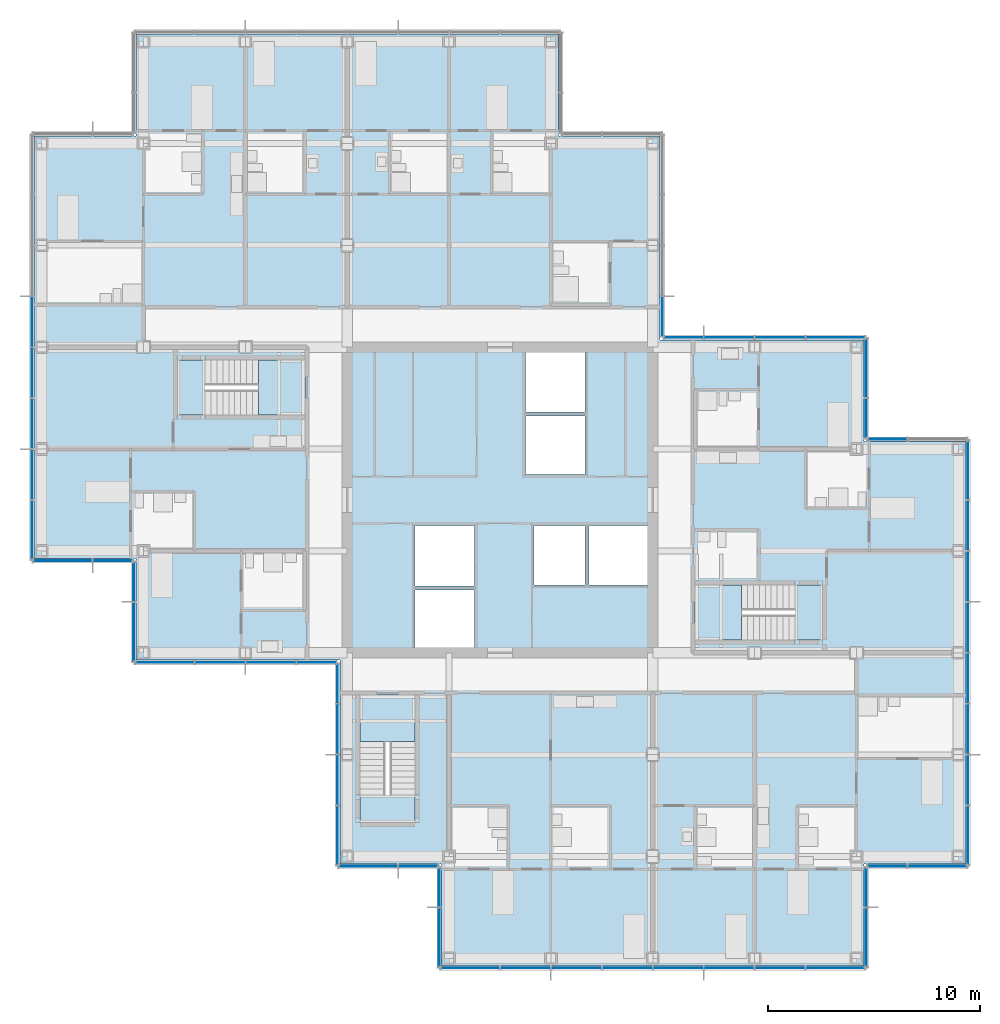
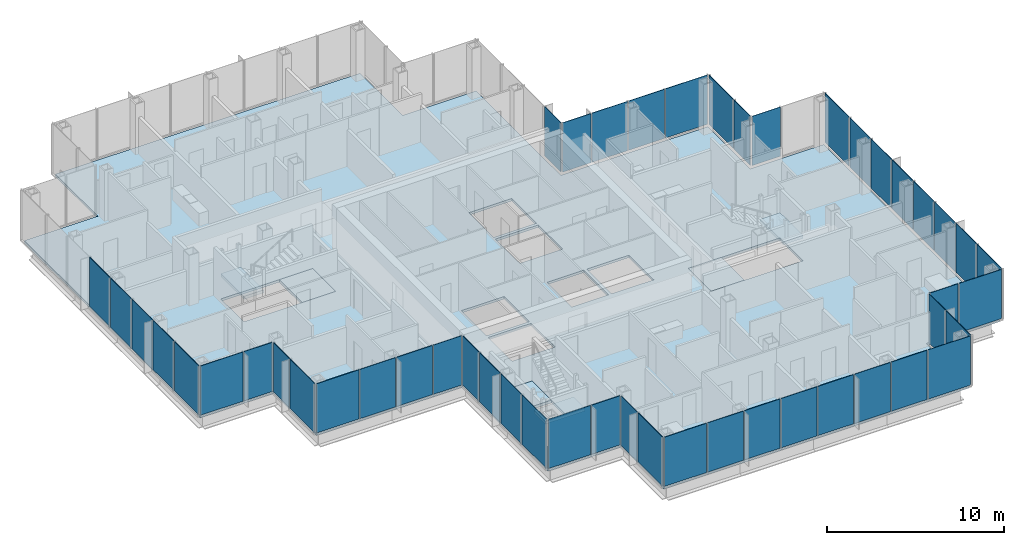
# One storey, part 11 of 20: 49 plates, 7 slabs, 18 elements without a shape of their own.
"""IFC4 building model written with IfcOpenShell, lengths in metres."""

from ifc_helpers import new_model, si_unit, direction, frame, origin, origin_2d, place, context, subcontext, project, spatial, polyline, rectangle, outline, extrude, material, layer, layer_set, type_object, element, aggregate, save


model = new_model("IFC4")

# Units and contexts
model_context = context("Model", 3, precision=1e-05, world=origin(), true_north=direction((0.0, 1.0)))
body_context = subcontext(model_context, "Body", "Model", "MODEL_VIEW")
ifc_project = project(units=[si_unit("LENGTHUNIT", "METRE"), si_unit("AREAUNIT", "SQUARE_METRE"), si_unit("VOLUMEUNIT", "CUBIC_METRE"), si_unit("PLANEANGLEUNIT", "RADIAN"), si_unit("MASSUNIT", "GRAM", prefix="KILO")], contexts=[model_context])

# Site, building, storey
site_placement = place(None, origin())
site = spatial("IfcSite", under=ifc_project, at=site_placement, CompositionType="ELEMENT")
building_placement = place(site_placement, origin())
building = spatial("IfcBuilding", under=site, at=building_placement, Name="Kvirike Care Tower", CompositionType="ELEMENT")
storey_placement = place(building_placement, frame((0.0, 0.0, 119.0)))
storey = spatial("IfcBuildingStorey", under=building, at=storey_placement, Name="L32", CompositionType="ELEMENT", Elevation=119.0)

# Slab
ifc_material_1 = material(Name="Concrete C35/45", Category="concrete")
ifc_layer_1 = layer(ifc_material_1, 0.169921875)
ifc_layer_set_1 = layer_set([ifc_layer_1], Name="FLOOR SLAB 170")
slab_type_1 = type_object("IfcSlabType", Name="FLOOR SLAB 170", PredefinedType="FLOOR", material=ifc_layer_set_1)
slab_1_placement = place(storey_placement, frame((0.0, 0.0, -0.169921875)))
element("IfcSlab", 1, at=slab_1_placement, inside=storey, type_object=slab_type_1, Name="Floor slab L32", PredefinedType="FLOOR", context=body_context, shape_type="SweptSolid", body=[
    extrude(outline(polyline([(43.550048828125, 18.85009765625), (43.550048828125, 38.75), (38.75, 38.75), (38.75, 43.550048828125), (29.14990234375, 43.550048828125), (29.14990234375, 53.14990234375), (24.35009765625, 53.14990234375), (24.35009765625, 57.949951171875), (4.449951171875, 57.949951171875), (4.449951171875, 53.14990234375), (-0.35009765625, 53.14990234375), (-0.35009765625, 33.25), (4.449951171875, 33.25), (4.449951171875, 28.449951171875), (14.050048828125, 28.449951171875), (14.050048828125, 18.85009765625), (18.85009765625, 18.85009765625), (18.85009765625, 14.050048828125), (38.75, 14.050048828125), (38.75, 18.85009765625), (43.550048828125, 18.85009765625)]), holes=[polyline([(17.60009765625, 29.050048828125), (17.60009765625, 31.75), (20.39990234375, 31.75), (20.39990234375, 29.050048828125), (17.60009765625, 29.050048828125)]), polyline([(17.60009765625, 31.949951171875), (17.60009765625, 34.800048828125), (20.39990234375, 34.800048828125), (20.39990234375, 31.949951171875), (17.60009765625, 31.949951171875)]), polyline([(22.800048828125, 37.199951171875), (22.800048828125, 39.949951171875), (25.60009765625, 39.949951171875), (25.60009765625, 37.199951171875), (22.800048828125, 37.199951171875)]), polyline([(22.800048828125, 40.14990234375), (22.800048828125, 42.949951171875), (25.60009765625, 42.949951171875), (25.60009765625, 40.14990234375), (22.800048828125, 40.14990234375)]), polyline([(23.199951171875, 32.0), (23.199951171875, 34.800048828125), (25.60009765625, 34.800048828125), (25.60009765625, 32.0), (23.199951171875, 32.0)]), polyline([(25.800048828125, 32.0), (25.800048828125, 34.800048828125), (28.550048828125, 34.800048828125), (28.550048828125, 32.0), (25.800048828125, 32.0)]), polyline([(12.39990234375, 42.60009765625), (12.39990234375, 40.0), (6.39990234375, 40.0), (6.39990234375, 42.60009765625), (12.39990234375, 42.60009765625)]), polyline([(30.800048828125, 29.39990234375), (30.800048828125, 32.0), (36.800048828125, 32.0), (36.800048828125, 29.39990234375), (30.800048828125, 29.39990234375)]), polyline([(15.0, 26.800048828125), (17.60009765625, 26.800048828125), (17.60009765625, 20.800048828125), (15.0, 20.800048828125), (15.0, 26.800048828125)])]), origin(), (0.0, 0.0, 1.0), 0.169921875),
])

# Stair, slabs
ifc_material_2 = material(Name="Concrete C35/45", Category="concrete")
stair_type = type_object("IfcStairType", Name="STAIR 20 RISERS", PredefinedType="HALF_TURN_STAIR", material=ifc_material_2)
stair_1_placement = place(storey_placement, origin())
stair_1 = element("IfcStair", 2, at=stair_1_placement, inside=storey, type_object=stair_type, Name="Stair 1 L32", PredefinedType="HALF_TURN_STAIR")
ifc_material_3 = material(Name="Concrete C35/45", Category="concrete")
ifc_layer_2 = layer(ifc_material_3, 0.199951171875)
ifc_layer_set_2 = layer_set([ifc_layer_2], Name="STAIR LANDING 200")
slab_type_2 = type_object("IfcSlabType", Name="STAIR LANDING 200", PredefinedType="LANDING", material=ifc_layer_set_2)
slab_2_placement = place(storey_placement, frame((0.0, 0.0, -0.199951171875)))
slab_2 = element("IfcSlab", 3, at=slab_2_placement, type_object=slab_type_2, Name="Stair S1 floor landing L32", PredefinedType="LANDING", context=body_context, shape_type="SweptSolid", body=[
    extrude(outline(polyline([(10.219970703125, 42.60009765625), (10.219970703125, 40.0), (12.39990234375, 40.0), (12.39990234375, 42.60009765625), (10.219970703125, 42.60009765625)])), origin(), (0.0, 0.0, 1.0), 0.199951171875),
])
slab_3_placement = place(storey_placement, frame((0.0, 0.0, 1.550048828125)))
slab_3 = element("IfcSlab", 4, at=slab_3_placement, type_object=slab_type_2, Name="Stair S1 half landing L32-L33", PredefinedType="LANDING", context=body_context, shape_type="SweptSolid", body=[
    extrude(outline(polyline([(6.39990234375, 42.60009765625), (6.39990234375, 40.0), (7.699951171875, 40.0), (7.699951171875, 42.60009765625), (6.39990234375, 42.60009765625)])), origin(), (0.0, 0.0, 1.0), 0.199951171875),
])
aggregate(stair_1, [slab_2, slab_3])

stair_2_placement = place(storey_placement, origin())
stair_2 = element("IfcStair", 5, at=stair_2_placement, inside=storey, type_object=stair_type, Name="Stair 2 L32", PredefinedType="HALF_TURN_STAIR")
slab_4_placement = place(storey_placement, frame((0.0, 0.0, -0.199951171875)))
slab_4 = element("IfcSlab", 6, at=slab_4_placement, type_object=slab_type_2, Name="Stair S2 floor landing L32", PredefinedType="LANDING", context=body_context, shape_type="SweptSolid", body=[
    extrude(outline(polyline([(32.97998046875, 29.39990234375), (32.97998046875, 32.0), (30.800048828125, 32.0), (30.800048828125, 29.39990234375), (32.97998046875, 29.39990234375)])), origin(), (0.0, 0.0, 1.0), 0.199951171875),
])
slab_5_placement = place(storey_placement, frame((0.0, 0.0, 1.550048828125)))
slab_5 = element("IfcSlab", 7, at=slab_5_placement, type_object=slab_type_2, Name="Stair S2 half landing L32-L33", PredefinedType="LANDING", context=body_context, shape_type="SweptSolid", body=[
    extrude(outline(polyline([(36.800048828125, 29.39990234375), (36.800048828125, 32.0), (35.5, 32.0), (35.5, 29.39990234375), (36.800048828125, 29.39990234375)])), origin(), (0.0, 0.0, 1.0), 0.199951171875),
])
aggregate(stair_2, [slab_4, slab_5])

stair_3_placement = place(storey_placement, origin())
stair_3 = element("IfcStair", 8, at=stair_3_placement, inside=storey, type_object=stair_type, Name="Stair 5 L32", PredefinedType="HALF_TURN_STAIR")
slab_6_placement = place(storey_placement, frame((0.0, 0.0, -0.199951171875)))
slab_6 = element("IfcSlab", 9, at=slab_6_placement, type_object=slab_type_2, Name="Stair S5 floor landing L32", PredefinedType="LANDING", context=body_context, shape_type="SweptSolid", body=[
    extrude(outline(polyline([(15.0, 24.6201171875), (17.60009765625, 24.6201171875), (17.60009765625, 26.800048828125), (15.0, 26.800048828125), (15.0, 24.6201171875)])), origin(), (0.0, 0.0, 1.0), 0.199951171875),
])
slab_7_placement = place(storey_placement, frame((0.0, 0.0, 1.550048828125)))
slab_7 = element("IfcSlab", 10, at=slab_7_placement, type_object=slab_type_2, Name="Stair S5 half landing L32-L33", PredefinedType="LANDING", context=body_context, shape_type="SweptSolid", body=[
    extrude(outline(polyline([(15.0, 20.800048828125), (17.60009765625, 20.800048828125), (17.60009765625, 22.10009765625), (15.0, 22.10009765625), (15.0, 20.800048828125)])), origin(), (0.0, 0.0, 1.0), 0.199951171875),
])
aggregate(stair_3, [slab_6, slab_7])

# Curtain wall, plates
ifc_material_4 = material(Name="Anodised aluminium stick system", Category="aluminium")
curtain_wall_type = type_object("IfcCurtainWallType", Name="CW-B STICK CURTAIN WALL", PredefinedType="NOTDEFINED", material=ifc_material_4)
curtain_wall_1_placement = place(storey_placement, origin())
curtain_wall_1 = element("IfcCurtainWall", 11, at=curtain_wall_1_placement, inside=storey, type_object=curtain_wall_type, Name="Curtain wall L32 face 1", PredefinedType="NOTDEFINED")
ifc_material_5 = material(Name="Tinted double glazed unit", Category="glass")
ifc_layer_3 = layer(ifc_material_5, 0.035888671875)
ifc_layer_set_3 = layer_set([ifc_layer_3], Name="TINTED VISION PANEL 36")
plate_type = type_object("IfcPlateType", Name="TINTED VISION PANEL 36", PredefinedType="CURTAIN_PANEL", material=ifc_layer_set_3)
plate_1_placement = place(storey_placement, frame((43.659912109375, 20.186279296875, 0.10009765625), z_axis=(0.0, 0.0, 1.0), x_axis=(0.0, 1.0, 0.0)))
plate_1 = element("IfcPlate", 12, at=plate_1_placement, type_object=plate_type, Name="CW-B panel L32 face 1.1", PredefinedType="CURTAIN_PANEL", context=body_context, shape_type="SweptSolid", body=[
    extrude(rectangle(XDim=2.762451171875, YDim=0.035888671875, at=origin_2d()), origin(), (0.0, 0.0, 1.0), 3.39990234375),
])
plate_2_placement = place(storey_placement, frame((43.659912109375, 22.800048828125, 0.10009765625), z_axis=(0.0, 0.0, 1.0), x_axis=(0.0, 1.0, 0.0)))
plate_2 = element("IfcPlate", 13, at=plate_2_placement, type_object=plate_type, Name="CW-B panel L32 face 1.2", PredefinedType="CURTAIN_PANEL", context=body_context, shape_type="SweptSolid", body=[
    extrude(rectangle(XDim=2.3349609375, YDim=0.035888671875, at=origin_2d()), origin(), (0.0, 0.0, 1.0), 3.39990234375),
])
plate_3_placement = place(storey_placement, frame((43.659912109375, 25.199951171875, 0.10009765625), z_axis=(0.0, 0.0, 1.0), x_axis=(0.0, 1.0, 0.0)))
plate_3 = element("IfcPlate", 14, at=plate_3_placement, type_object=plate_type, Name="CW-B panel L32 face 1.3", PredefinedType="CURTAIN_PANEL", context=body_context, shape_type="SweptSolid", body=[
    extrude(rectangle(XDim=2.3349609375, YDim=0.035888671875, at=origin_2d()), origin(), (0.0, 0.0, 1.0), 3.39990234375),
])
plate_4_placement = place(storey_placement, frame((43.659912109375, 27.60009765625, 0.10009765625), z_axis=(0.0, 0.0, 1.0), x_axis=(0.0, 1.0, 0.0)))
plate_4 = element("IfcPlate", 15, at=plate_4_placement, type_object=plate_type, Name="CW-B panel L32 face 1.4", PredefinedType="CURTAIN_PANEL", context=body_context, shape_type="SweptSolid", body=[
    extrude(rectangle(XDim=2.3349609375, YDim=0.035888671875, at=origin_2d()), origin(), (0.0, 0.0, 1.0), 3.39990234375),
])
plate_5_placement = place(storey_placement, frame((43.659912109375, 30.0, 0.10009765625), z_axis=(0.0, 0.0, 1.0), x_axis=(0.0, 1.0, 0.0)))
plate_5 = element("IfcPlate", 16, at=plate_5_placement, type_object=plate_type, Name="CW-B panel L32 face 1.5", PredefinedType="CURTAIN_PANEL", context=body_context, shape_type="SweptSolid", body=[
    extrude(rectangle(XDim=2.3349609375, YDim=0.035888671875, at=origin_2d()), origin(), (0.0, 0.0, 1.0), 3.39990234375),
])
plate_6_placement = place(storey_placement, frame((43.659912109375, 32.39990234375, 0.10009765625), z_axis=(0.0, 0.0, 1.0), x_axis=(0.0, 1.0, 0.0)))
plate_6 = element("IfcPlate", 17, at=plate_6_placement, type_object=plate_type, Name="CW-B panel L32 face 1.6", PredefinedType="CURTAIN_PANEL", context=body_context, shape_type="SweptSolid", body=[
    extrude(rectangle(XDim=2.3349609375, YDim=0.035888671875, at=origin_2d()), origin(), (0.0, 0.0, 1.0), 3.39990234375),
])
plate_7_placement = place(storey_placement, frame((43.659912109375, 34.800048828125, 0.10009765625), z_axis=(0.0, 0.0, 1.0), x_axis=(0.0, 1.0, 0.0)))
plate_7 = element("IfcPlate", 18, at=plate_7_placement, type_object=plate_type, Name="CW-B panel L32 face 1.7", PredefinedType="CURTAIN_PANEL", context=body_context, shape_type="SweptSolid", body=[
    extrude(rectangle(XDim=2.3349609375, YDim=0.035888671875, at=origin_2d()), origin(), (0.0, 0.0, 1.0), 3.39990234375),
])
plate_8_placement = place(storey_placement, frame((43.659912109375, 37.413818359375, 0.10009765625), z_axis=(0.0, 0.0, 1.0), x_axis=(0.0, 1.0, 0.0)))
plate_8 = element("IfcPlate", 19, at=plate_8_placement, type_object=plate_type, Name="CW-B panel L32 face 1.8", PredefinedType="CURTAIN_PANEL", context=body_context, shape_type="SweptSolid", body=[
    extrude(rectangle(XDim=2.762451171875, YDim=0.035888671875, at=origin_2d()), origin(), (0.0, 0.0, 1.0), 3.39990234375),
])
aggregate(curtain_wall_1, [plate_1, plate_2, plate_3, plate_4, plate_5, plate_6, plate_7, plate_8])

# Curtain wall, plate
curtain_wall_2_placement = place(storey_placement, origin())
curtain_wall_2 = element("IfcCurtainWall", 20, at=curtain_wall_2_placement, inside=storey, type_object=curtain_wall_type, Name="Curtain wall L32 face 2", PredefinedType="NOTDEFINED")
plate_9_placement = place(storey_placement, frame((39.84619140625, 38.860107421875, 0.10009765625), z_axis=(0.0, 0.0, 1.0), x_axis=(-1.0, 0.0, 0.0)))
plate_9 = element("IfcPlate", 21, at=plate_9_placement, type_object=plate_type, Name="CW-B panel L32 face 2.2", PredefinedType="CURTAIN_PANEL", context=body_context, shape_type="SweptSolid", body=[
    extrude(rectangle(XDim=1.842529296875, YDim=0.035888671875, at=origin_2d()), origin(), (0.0, 0.0, 1.0), 3.39990234375),
])
aggregate(curtain_wall_2, [plate_9])

# Curtain wall, plates
curtain_wall_3_placement = place(storey_placement, origin())
curtain_wall_3 = element("IfcCurtainWall", 22, at=curtain_wall_3_placement, inside=storey, type_object=curtain_wall_type, Name="Curtain wall L32 face 3", PredefinedType="NOTDEFINED")
plate_10_placement = place(storey_placement, frame((38.860107421875, 39.84619140625, 0.10009765625), z_axis=(0.0, 0.0, 1.0), x_axis=(0.0, 1.0, 0.0)))
plate_10 = element("IfcPlate", 23, at=plate_10_placement, type_object=plate_type, Name="CW-B panel L32 face 3.1", PredefinedType="CURTAIN_PANEL", context=body_context, shape_type="SweptSolid", body=[
    extrude(rectangle(XDim=1.842529296875, YDim=0.035888671875, at=origin_2d()), origin(), (0.0, 0.0, 1.0), 3.39990234375),
])
plate_11_placement = place(storey_placement, frame((38.860107421875, 42.2138671875, 0.10009765625), z_axis=(0.0, 0.0, 1.0), x_axis=(0.0, 1.0, 0.0)))
plate_11 = element("IfcPlate", 24, at=plate_11_placement, type_object=plate_type, Name="CW-B panel L32 face 3.2", PredefinedType="CURTAIN_PANEL", context=body_context, shape_type="SweptSolid", body=[
    extrude(rectangle(XDim=2.762451171875, YDim=0.035888671875, at=origin_2d()), origin(), (0.0, 0.0, 1.0), 3.39990234375),
])
aggregate(curtain_wall_3, [plate_10, plate_11])

curtain_wall_4_placement = place(storey_placement, origin())
curtain_wall_4 = element("IfcCurtainWall", 25, at=curtain_wall_4_placement, inside=storey, type_object=curtain_wall_type, Name="Curtain wall L32 face 4", PredefinedType="NOTDEFINED")
plate_12_placement = place(storey_placement, frame((37.413818359375, 43.659912109375, 0.10009765625), z_axis=(0.0, 0.0, 1.0), x_axis=(-1.0, 0.0, 0.0)))
plate_12 = element("IfcPlate", 26, at=plate_12_placement, type_object=plate_type, Name="CW-B panel L32 face 4.1", PredefinedType="CURTAIN_PANEL", context=body_context, shape_type="SweptSolid", body=[
    extrude(rectangle(XDim=2.762451171875, YDim=0.035888671875, at=origin_2d()), origin(), (0.0, 0.0, 1.0), 3.39990234375),
])
plate_13_placement = place(storey_placement, frame((34.800048828125, 43.659912109375, 0.10009765625), z_axis=(0.0, 0.0, 1.0), x_axis=(-1.0, 0.0, 0.0)))
plate_13 = element("IfcPlate", 27, at=plate_13_placement, type_object=plate_type, Name="CW-B panel L32 face 4.2", PredefinedType="CURTAIN_PANEL", context=body_context, shape_type="SweptSolid", body=[
    extrude(rectangle(XDim=2.3349609375, YDim=0.035888671875, at=origin_2d()), origin(), (0.0, 0.0, 1.0), 3.39990234375),
])
plate_14_placement = place(storey_placement, frame((32.39990234375, 43.659912109375, 0.10009765625), z_axis=(0.0, 0.0, 1.0), x_axis=(-1.0, 0.0, 0.0)))
plate_14 = element("IfcPlate", 28, at=plate_14_placement, type_object=plate_type, Name="CW-B panel L32 face 4.3", PredefinedType="CURTAIN_PANEL", context=body_context, shape_type="SweptSolid", body=[
    extrude(rectangle(XDim=2.3349609375, YDim=0.035888671875, at=origin_2d()), origin(), (0.0, 0.0, 1.0), 3.39990234375),
])
plate_15_placement = place(storey_placement, frame((30.246337890625, 43.659912109375, 0.10009765625), z_axis=(0.0, 0.0, 1.0), x_axis=(-1.0, 0.0, 0.0)))
plate_15 = element("IfcPlate", 29, at=plate_15_placement, type_object=plate_type, Name="CW-B panel L32 face 4.4", PredefinedType="CURTAIN_PANEL", context=body_context, shape_type="SweptSolid", body=[
    extrude(rectangle(XDim=1.842529296875, YDim=0.035888671875, at=origin_2d()), origin(), (0.0, 0.0, 1.0), 3.39990234375),
])
aggregate(curtain_wall_4, [plate_12, plate_13, plate_14, plate_15])

# Curtain wall, plate
curtain_wall_5_placement = place(storey_placement, origin())
curtain_wall_5 = element("IfcCurtainWall", 30, at=curtain_wall_5_placement, inside=storey, type_object=curtain_wall_type, Name="Curtain wall L32 face 5", PredefinedType="NOTDEFINED")
plate_16_placement = place(storey_placement, frame((29.260009765625, 44.646240234375, 0.10009765625), z_axis=(0.0, 0.0, 1.0), x_axis=(0.0, 1.0, 0.0)))
plate_16 = element("IfcPlate", 31, at=plate_16_placement, type_object=plate_type, Name="CW-B panel L32 face 5.1", PredefinedType="CURTAIN_PANEL", context=body_context, shape_type="SweptSolid", body=[
    extrude(rectangle(XDim=1.842529296875, YDim=0.035888671875, at=origin_2d()), origin(), (0.0, 0.0, 1.0), 3.39990234375),
])
aggregate(curtain_wall_5, [plate_16])

# Curtain wall, plates
curtain_wall_6_placement = place(storey_placement, origin())
curtain_wall_6 = element("IfcCurtainWall", 32, at=curtain_wall_6_placement, inside=storey, type_object=curtain_wall_type, Name="Curtain wall L32 face 11", PredefinedType="NOTDEFINED")
plate_17_placement = place(storey_placement, frame((-0.4599609375, 44.39990234375, 0.10009765625), z_axis=(0.0, 0.0, 1.0), x_axis=(0.0, -1.0, 0.0)))
plate_17 = element("IfcPlate", 33, at=plate_17_placement, type_object=plate_type, Name="CW-B panel L32 face 11.4", PredefinedType="CURTAIN_PANEL", context=body_context, shape_type="SweptSolid", body=[
    extrude(rectangle(XDim=2.3349609375, YDim=0.035888671875, at=origin_2d()), origin(), (0.0, 0.0, 1.0), 3.39990234375),
])
plate_18_placement = place(storey_placement, frame((-0.4599609375, 42.0, 0.10009765625), z_axis=(0.0, 0.0, 1.0), x_axis=(0.0, -1.0, 0.0)))
plate_18 = element("IfcPlate", 34, at=plate_18_placement, type_object=plate_type, Name="CW-B panel L32 face 11.5", PredefinedType="CURTAIN_PANEL", context=body_context, shape_type="SweptSolid", body=[
    extrude(rectangle(XDim=2.3349609375, YDim=0.035888671875, at=origin_2d()), origin(), (0.0, 0.0, 1.0), 3.39990234375),
])
plate_19_placement = place(storey_placement, frame((-0.4599609375, 39.60009765625, 0.10009765625), z_axis=(0.0, 0.0, 1.0), x_axis=(0.0, -1.0, 0.0)))
plate_19 = element("IfcPlate", 35, at=plate_19_placement, type_object=plate_type, Name="CW-B panel L32 face 11.6", PredefinedType="CURTAIN_PANEL", context=body_context, shape_type="SweptSolid", body=[
    extrude(rectangle(XDim=2.3349609375, YDim=0.035888671875, at=origin_2d()), origin(), (0.0, 0.0, 1.0), 3.39990234375),
])
plate_20_placement = place(storey_placement, frame((-0.4599609375, 37.199951171875, 0.10009765625), z_axis=(0.0, 0.0, 1.0), x_axis=(0.0, -1.0, 0.0)))
plate_20 = element("IfcPlate", 36, at=plate_20_placement, type_object=plate_type, Name="CW-B panel L32 face 11.7", PredefinedType="CURTAIN_PANEL", context=body_context, shape_type="SweptSolid", body=[
    extrude(rectangle(XDim=2.3349609375, YDim=0.035888671875, at=origin_2d()), origin(), (0.0, 0.0, 1.0), 3.39990234375),
])
plate_21_placement = place(storey_placement, frame((-0.4599609375, 34.586181640625, 0.10009765625), z_axis=(0.0, 0.0, 1.0), x_axis=(0.0, -1.0, 0.0)))
plate_21 = element("IfcPlate", 37, at=plate_21_placement, type_object=plate_type, Name="CW-B panel L32 face 11.8", PredefinedType="CURTAIN_PANEL", context=body_context, shape_type="SweptSolid", body=[
    extrude(rectangle(XDim=2.762451171875, YDim=0.035888671875, at=origin_2d()), origin(), (0.0, 0.0, 1.0), 3.39990234375),
])
aggregate(curtain_wall_6, [plate_17, plate_18, plate_19, plate_20, plate_21])

curtain_wall_7_placement = place(storey_placement, origin())
curtain_wall_7 = element("IfcCurtainWall", 38, at=curtain_wall_7_placement, inside=storey, type_object=curtain_wall_type, Name="Curtain wall L32 face 12", PredefinedType="NOTDEFINED")
plate_22_placement = place(storey_placement, frame((0.986328125, 33.139892578125, 0.10009765625), z_axis=(0.0, 0.0, 1.0), x_axis=(1.0, 0.0, 0.0)))
plate_22 = element("IfcPlate", 39, at=plate_22_placement, type_object=plate_type, Name="CW-B panel L32 face 12.1", PredefinedType="CURTAIN_PANEL", context=body_context, shape_type="SweptSolid", body=[
    extrude(rectangle(XDim=2.762451171875, YDim=0.035888671875, at=origin_2d()), origin(), (0.0, 0.0, 1.0), 3.39990234375),
])
plate_23_placement = place(storey_placement, frame((3.353759765625, 33.139892578125, 0.10009765625), z_axis=(0.0, 0.0, 1.0), x_axis=(1.0, 0.0, 0.0)))
plate_23 = element("IfcPlate", 40, at=plate_23_placement, type_object=plate_type, Name="CW-B panel L32 face 12.2", PredefinedType="CURTAIN_PANEL", context=body_context, shape_type="SweptSolid", body=[
    extrude(rectangle(XDim=1.842529296875, YDim=0.035888671875, at=origin_2d()), origin(), (0.0, 0.0, 1.0), 3.39990234375),
])
aggregate(curtain_wall_7, [plate_22, plate_23])

curtain_wall_8_placement = place(storey_placement, origin())
curtain_wall_8 = element("IfcCurtainWall", 41, at=curtain_wall_8_placement, inside=storey, type_object=curtain_wall_type, Name="Curtain wall L32 face 13", PredefinedType="NOTDEFINED")
plate_24_placement = place(storey_placement, frame((4.340087890625, 32.15380859375, 0.10009765625), z_axis=(0.0, 0.0, 1.0), x_axis=(0.0, -1.0, 0.0)))
plate_24 = element("IfcPlate", 42, at=plate_24_placement, type_object=plate_type, Name="CW-B panel L32 face 13.1", PredefinedType="CURTAIN_PANEL", context=body_context, shape_type="SweptSolid", body=[
    extrude(rectangle(XDim=1.842529296875, YDim=0.035888671875, at=origin_2d()), origin(), (0.0, 0.0, 1.0), 3.39990234375),
])
plate_25_placement = place(storey_placement, frame((4.340087890625, 29.7861328125, 0.10009765625), z_axis=(0.0, 0.0, 1.0), x_axis=(0.0, -1.0, 0.0)))
plate_25 = element("IfcPlate", 43, at=plate_25_placement, type_object=plate_type, Name="CW-B panel L32 face 13.2", PredefinedType="CURTAIN_PANEL", context=body_context, shape_type="SweptSolid", body=[
    extrude(rectangle(XDim=2.762451171875, YDim=0.035888671875, at=origin_2d()), origin(), (0.0, 0.0, 1.0), 3.39990234375),
])
aggregate(curtain_wall_8, [plate_24, plate_25])

curtain_wall_9_placement = place(storey_placement, origin())
curtain_wall_9 = element("IfcCurtainWall", 44, at=curtain_wall_9_placement, inside=storey, type_object=curtain_wall_type, Name="Curtain wall L32 face 14", PredefinedType="NOTDEFINED")
plate_26_placement = place(storey_placement, frame((5.7861328125, 28.340087890625, 0.10009765625), z_axis=(0.0, 0.0, 1.0), x_axis=(1.0, 0.0, 0.0)))
plate_26 = element("IfcPlate", 45, at=plate_26_placement, type_object=plate_type, Name="CW-B panel L32 face 14.1", PredefinedType="CURTAIN_PANEL", context=body_context, shape_type="SweptSolid", body=[
    extrude(rectangle(XDim=2.762451171875, YDim=0.035888671875, at=origin_2d()), origin(), (0.0, 0.0, 1.0), 3.39990234375),
])
plate_27_placement = place(storey_placement, frame((8.39990234375, 28.340087890625, 0.10009765625), z_axis=(0.0, 0.0, 1.0), x_axis=(1.0, 0.0, 0.0)))
plate_27 = element("IfcPlate", 46, at=plate_27_placement, type_object=plate_type, Name="CW-B panel L32 face 14.2", PredefinedType="CURTAIN_PANEL", context=body_context, shape_type="SweptSolid", body=[
    extrude(rectangle(XDim=2.3349609375, YDim=0.035888671875, at=origin_2d()), origin(), (0.0, 0.0, 1.0), 3.39990234375),
])
plate_28_placement = place(storey_placement, frame((10.800048828125, 28.340087890625, 0.10009765625), z_axis=(0.0, 0.0, 1.0), x_axis=(1.0, 0.0, 0.0)))
plate_28 = element("IfcPlate", 47, at=plate_28_placement, type_object=plate_type, Name="CW-B panel L32 face 14.3", PredefinedType="CURTAIN_PANEL", context=body_context, shape_type="SweptSolid", body=[
    extrude(rectangle(XDim=2.3349609375, YDim=0.035888671875, at=origin_2d()), origin(), (0.0, 0.0, 1.0), 3.39990234375),
])
plate_29_placement = place(storey_placement, frame((12.953857421875, 28.340087890625, 0.10009765625), z_axis=(0.0, 0.0, 1.0), x_axis=(1.0, 0.0, 0.0)))
plate_29 = element("IfcPlate", 48, at=plate_29_placement, type_object=plate_type, Name="CW-B panel L32 face 14.4", PredefinedType="CURTAIN_PANEL", context=body_context, shape_type="SweptSolid", body=[
    extrude(rectangle(XDim=1.842529296875, YDim=0.035888671875, at=origin_2d()), origin(), (0.0, 0.0, 1.0), 3.39990234375),
])
aggregate(curtain_wall_9, [plate_26, plate_27, plate_28, plate_29])

curtain_wall_10_placement = place(storey_placement, origin())
curtain_wall_10 = element("IfcCurtainWall", 49, at=curtain_wall_10_placement, inside=storey, type_object=curtain_wall_type, Name="Curtain wall L32 face 15", PredefinedType="NOTDEFINED")
plate_30_placement = place(storey_placement, frame((13.93994140625, 27.353759765625, 0.10009765625), z_axis=(0.0, 0.0, 1.0), x_axis=(0.0, -1.0, 0.0)))
plate_30 = element("IfcPlate", 50, at=plate_30_placement, type_object=plate_type, Name="CW-B panel L32 face 15.1", PredefinedType="CURTAIN_PANEL", context=body_context, shape_type="SweptSolid", body=[
    extrude(rectangle(XDim=1.842529296875, YDim=0.035888671875, at=origin_2d()), origin(), (0.0, 0.0, 1.0), 3.39990234375),
])
plate_31_placement = place(storey_placement, frame((13.93994140625, 25.199951171875, 0.10009765625), z_axis=(0.0, 0.0, 1.0), x_axis=(0.0, -1.0, 0.0)))
plate_31 = element("IfcPlate", 51, at=plate_31_placement, type_object=plate_type, Name="CW-B panel L32 face 15.2", PredefinedType="CURTAIN_PANEL", context=body_context, shape_type="SweptSolid", body=[
    extrude(rectangle(XDim=2.3349609375, YDim=0.035888671875, at=origin_2d()), origin(), (0.0, 0.0, 1.0), 3.39990234375),
])
plate_32_placement = place(storey_placement, frame((13.93994140625, 22.800048828125, 0.10009765625), z_axis=(0.0, 0.0, 1.0), x_axis=(0.0, -1.0, 0.0)))
plate_32 = element("IfcPlate", 52, at=plate_32_placement, type_object=plate_type, Name="CW-B panel L32 face 15.3", PredefinedType="CURTAIN_PANEL", context=body_context, shape_type="SweptSolid", body=[
    extrude(rectangle(XDim=2.3349609375, YDim=0.035888671875, at=origin_2d()), origin(), (0.0, 0.0, 1.0), 3.39990234375),
])
plate_33_placement = place(storey_placement, frame((13.93994140625, 20.186279296875, 0.10009765625), z_axis=(0.0, 0.0, 1.0), x_axis=(0.0, -1.0, 0.0)))
plate_33 = element("IfcPlate", 53, at=plate_33_placement, type_object=plate_type, Name="CW-B panel L32 face 15.4", PredefinedType="CURTAIN_PANEL", context=body_context, shape_type="SweptSolid", body=[
    extrude(rectangle(XDim=2.762451171875, YDim=0.035888671875, at=origin_2d()), origin(), (0.0, 0.0, 1.0), 3.39990234375),
])
aggregate(curtain_wall_10, [plate_30, plate_31, plate_32, plate_33])

curtain_wall_11_placement = place(storey_placement, origin())
curtain_wall_11 = element("IfcCurtainWall", 54, at=curtain_wall_11_placement, inside=storey, type_object=curtain_wall_type, Name="Curtain wall L32 face 16", PredefinedType="NOTDEFINED")
plate_34_placement = place(storey_placement, frame((15.38623046875, 18.739990234375, 0.10009765625), z_axis=(0.0, 0.0, 1.0), x_axis=(1.0, 0.0, 0.0)))
plate_34 = element("IfcPlate", 55, at=plate_34_placement, type_object=plate_type, Name="CW-B panel L32 face 16.1", PredefinedType="CURTAIN_PANEL", context=body_context, shape_type="SweptSolid", body=[
    extrude(rectangle(XDim=2.762451171875, YDim=0.035888671875, at=origin_2d()), origin(), (0.0, 0.0, 1.0), 3.39990234375),
])
plate_35_placement = place(storey_placement, frame((17.753662109375, 18.739990234375, 0.10009765625), z_axis=(0.0, 0.0, 1.0), x_axis=(1.0, 0.0, 0.0)))
plate_35 = element("IfcPlate", 56, at=plate_35_placement, type_object=plate_type, Name="CW-B panel L32 face 16.2", PredefinedType="CURTAIN_PANEL", context=body_context, shape_type="SweptSolid", body=[
    extrude(rectangle(XDim=1.842529296875, YDim=0.035888671875, at=origin_2d()), origin(), (0.0, 0.0, 1.0), 3.39990234375),
])
aggregate(curtain_wall_11, [plate_34, plate_35])

curtain_wall_12_placement = place(storey_placement, origin())
curtain_wall_12 = element("IfcCurtainWall", 57, at=curtain_wall_12_placement, inside=storey, type_object=curtain_wall_type, Name="Curtain wall L32 face 17", PredefinedType="NOTDEFINED")
plate_36_placement = place(storey_placement, frame((18.739990234375, 17.753662109375, 0.10009765625), z_axis=(0.0, 0.0, 1.0), x_axis=(0.0, -1.0, 0.0)))
plate_36 = element("IfcPlate", 58, at=plate_36_placement, type_object=plate_type, Name="CW-B panel L32 face 17.1", PredefinedType="CURTAIN_PANEL", context=body_context, shape_type="SweptSolid", body=[
    extrude(rectangle(XDim=1.842529296875, YDim=0.035888671875, at=origin_2d()), origin(), (0.0, 0.0, 1.0), 3.39990234375),
])
plate_37_placement = place(storey_placement, frame((18.739990234375, 15.38623046875, 0.10009765625), z_axis=(0.0, 0.0, 1.0), x_axis=(0.0, -1.0, 0.0)))
plate_37 = element("IfcPlate", 59, at=plate_37_placement, type_object=plate_type, Name="CW-B panel L32 face 17.2", PredefinedType="CURTAIN_PANEL", context=body_context, shape_type="SweptSolid", body=[
    extrude(rectangle(XDim=2.762451171875, YDim=0.035888671875, at=origin_2d()), origin(), (0.0, 0.0, 1.0), 3.39990234375),
])
aggregate(curtain_wall_12, [plate_36, plate_37])

curtain_wall_13_placement = place(storey_placement, origin())
curtain_wall_13 = element("IfcCurtainWall", 60, at=curtain_wall_13_placement, inside=storey, type_object=curtain_wall_type, Name="Curtain wall L32 face 18", PredefinedType="NOTDEFINED")
plate_38_placement = place(storey_placement, frame((20.186279296875, 13.93994140625, 0.10009765625), z_axis=(0.0, 0.0, 1.0), x_axis=(1.0, 0.0, 0.0)))
plate_38 = element("IfcPlate", 61, at=plate_38_placement, type_object=plate_type, Name="CW-B panel L32 face 18.1", PredefinedType="CURTAIN_PANEL", context=body_context, shape_type="SweptSolid", body=[
    extrude(rectangle(XDim=2.762451171875, YDim=0.035888671875, at=origin_2d()), origin(), (0.0, 0.0, 1.0), 3.39990234375),
])
plate_39_placement = place(storey_placement, frame((22.800048828125, 13.93994140625, 0.10009765625), z_axis=(0.0, 0.0, 1.0), x_axis=(1.0, 0.0, 0.0)))
plate_39 = element("IfcPlate", 62, at=plate_39_placement, type_object=plate_type, Name="CW-B panel L32 face 18.2", PredefinedType="CURTAIN_PANEL", context=body_context, shape_type="SweptSolid", body=[
    extrude(rectangle(XDim=2.3349609375, YDim=0.035888671875, at=origin_2d()), origin(), (0.0, 0.0, 1.0), 3.39990234375),
])
plate_40_placement = place(storey_placement, frame((25.199951171875, 13.93994140625, 0.10009765625), z_axis=(0.0, 0.0, 1.0), x_axis=(1.0, 0.0, 0.0)))
plate_40 = element("IfcPlate", 63, at=plate_40_placement, type_object=plate_type, Name="CW-B panel L32 face 18.3", PredefinedType="CURTAIN_PANEL", context=body_context, shape_type="SweptSolid", body=[
    extrude(rectangle(XDim=2.3349609375, YDim=0.035888671875, at=origin_2d()), origin(), (0.0, 0.0, 1.0), 3.39990234375),
])
plate_41_placement = place(storey_placement, frame((27.60009765625, 13.93994140625, 0.10009765625), z_axis=(0.0, 0.0, 1.0), x_axis=(1.0, 0.0, 0.0)))
plate_41 = element("IfcPlate", 64, at=plate_41_placement, type_object=plate_type, Name="CW-B panel L32 face 18.4", PredefinedType="CURTAIN_PANEL", context=body_context, shape_type="SweptSolid", body=[
    extrude(rectangle(XDim=2.3349609375, YDim=0.035888671875, at=origin_2d()), origin(), (0.0, 0.0, 1.0), 3.39990234375),
])
plate_42_placement = place(storey_placement, frame((30.0, 13.93994140625, 0.10009765625), z_axis=(0.0, 0.0, 1.0), x_axis=(1.0, 0.0, 0.0)))
plate_42 = element("IfcPlate", 65, at=plate_42_placement, type_object=plate_type, Name="CW-B panel L32 face 18.5", PredefinedType="CURTAIN_PANEL", context=body_context, shape_type="SweptSolid", body=[
    extrude(rectangle(XDim=2.3349609375, YDim=0.035888671875, at=origin_2d()), origin(), (0.0, 0.0, 1.0), 3.39990234375),
])
plate_43_placement = place(storey_placement, frame((32.39990234375, 13.93994140625, 0.10009765625), z_axis=(0.0, 0.0, 1.0), x_axis=(1.0, 0.0, 0.0)))
plate_43 = element("IfcPlate", 66, at=plate_43_placement, type_object=plate_type, Name="CW-B panel L32 face 18.6", PredefinedType="CURTAIN_PANEL", context=body_context, shape_type="SweptSolid", body=[
    extrude(rectangle(XDim=2.3349609375, YDim=0.035888671875, at=origin_2d()), origin(), (0.0, 0.0, 1.0), 3.39990234375),
])
plate_44_placement = place(storey_placement, frame((34.800048828125, 13.93994140625, 0.10009765625), z_axis=(0.0, 0.0, 1.0), x_axis=(1.0, 0.0, 0.0)))
plate_44 = element("IfcPlate", 67, at=plate_44_placement, type_object=plate_type, Name="CW-B panel L32 face 18.7", PredefinedType="CURTAIN_PANEL", context=body_context, shape_type="SweptSolid", body=[
    extrude(rectangle(XDim=2.3349609375, YDim=0.035888671875, at=origin_2d()), origin(), (0.0, 0.0, 1.0), 3.39990234375),
])
plate_45_placement = place(storey_placement, frame((37.413818359375, 13.93994140625, 0.10009765625), z_axis=(0.0, 0.0, 1.0), x_axis=(1.0, 0.0, 0.0)))
plate_45 = element("IfcPlate", 68, at=plate_45_placement, type_object=plate_type, Name="CW-B panel L32 face 18.8", PredefinedType="CURTAIN_PANEL", context=body_context, shape_type="SweptSolid", body=[
    extrude(rectangle(XDim=2.762451171875, YDim=0.035888671875, at=origin_2d()), origin(), (0.0, 0.0, 1.0), 3.39990234375),
])
aggregate(curtain_wall_13, [plate_38, plate_39, plate_40, plate_41, plate_42, plate_43, plate_44, plate_45])

curtain_wall_14_placement = place(storey_placement, origin())
curtain_wall_14 = element("IfcCurtainWall", 69, at=curtain_wall_14_placement, inside=storey, type_object=curtain_wall_type, Name="Curtain wall L32 face 19", PredefinedType="NOTDEFINED")
plate_46_placement = place(storey_placement, frame((38.860107421875, 15.38623046875, 0.10009765625), z_axis=(0.0, 0.0, 1.0), x_axis=(0.0, 1.0, 0.0)))
plate_46 = element("IfcPlate", 70, at=plate_46_placement, type_object=plate_type, Name="CW-B panel L32 face 19.1", PredefinedType="CURTAIN_PANEL", context=body_context, shape_type="SweptSolid", body=[
    extrude(rectangle(XDim=2.762451171875, YDim=0.035888671875, at=origin_2d()), origin(), (0.0, 0.0, 1.0), 3.39990234375),
])
plate_47_placement = place(storey_placement, frame((38.860107421875, 17.753662109375, 0.10009765625), z_axis=(0.0, 0.0, 1.0), x_axis=(0.0, 1.0, 0.0)))
plate_47 = element("IfcPlate", 71, at=plate_47_placement, type_object=plate_type, Name="CW-B panel L32 face 19.2", PredefinedType="CURTAIN_PANEL", context=body_context, shape_type="SweptSolid", body=[
    extrude(rectangle(XDim=1.842529296875, YDim=0.035888671875, at=origin_2d()), origin(), (0.0, 0.0, 1.0), 3.39990234375),
])
aggregate(curtain_wall_14, [plate_46, plate_47])

curtain_wall_15_placement = place(storey_placement, origin())
curtain_wall_15 = element("IfcCurtainWall", 72, at=curtain_wall_15_placement, inside=storey, type_object=curtain_wall_type, Name="Curtain wall L32 face 20", PredefinedType="NOTDEFINED")
plate_48_placement = place(storey_placement, frame((39.84619140625, 18.739990234375, 0.10009765625), z_axis=(0.0, 0.0, 1.0), x_axis=(1.0, 0.0, 0.0)))
plate_48 = element("IfcPlate", 73, at=plate_48_placement, type_object=plate_type, Name="CW-B panel L32 face 20.1", PredefinedType="CURTAIN_PANEL", context=body_context, shape_type="SweptSolid", body=[
    extrude(rectangle(XDim=1.842529296875, YDim=0.035888671875, at=origin_2d()), origin(), (0.0, 0.0, 1.0), 3.39990234375),
])
plate_49_placement = place(storey_placement, frame((42.2138671875, 18.739990234375, 0.10009765625), z_axis=(0.0, 0.0, 1.0), x_axis=(1.0, 0.0, 0.0)))
plate_49 = element("IfcPlate", 74, at=plate_49_placement, type_object=plate_type, Name="CW-B panel L32 face 20.2", PredefinedType="CURTAIN_PANEL", context=body_context, shape_type="SweptSolid", body=[
    extrude(rectangle(XDim=2.762451171875, YDim=0.035888671875, at=origin_2d()), origin(), (0.0, 0.0, 1.0), 3.39990234375),
])
aggregate(curtain_wall_15, [plate_48, plate_49])

save(model, "model.ifc")
